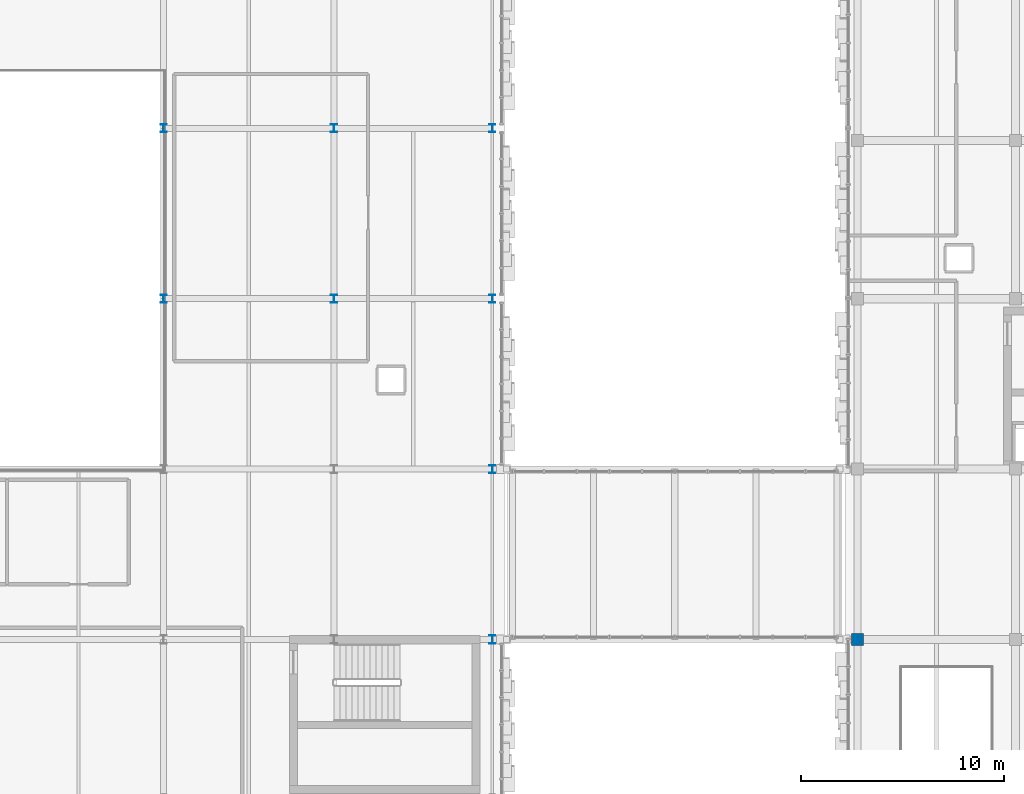
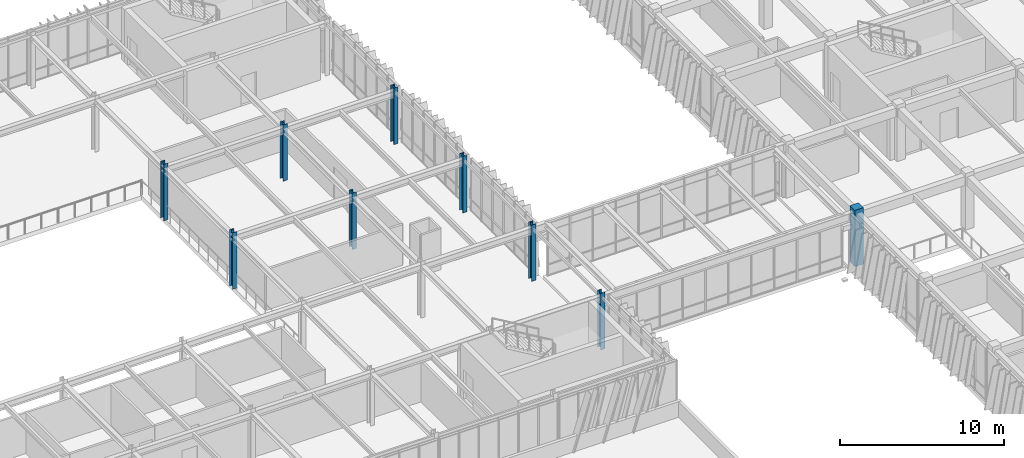
# One storey, part 11 of 127: 9 columns.
"""IFC4 building model written with IfcOpenShell, lengths in metres."""

from ifc_helpers import new_model, si_unit, direction, frame, origin, origin_2d, place, context, subcontext, project, spatial, rectangle, i_section, extrude, material, material_profile, profile_set, type_object, element, save


model = new_model("IFC4")

# Units and contexts
model_context = context("Model", 3, precision=1e-05, world=origin(), true_north=direction((0.0, 1.0)))
body_context = subcontext(model_context, "Body", "Model", "MODEL_VIEW")
ifc_project = project(units=[si_unit("LENGTHUNIT", "METRE"), si_unit("AREAUNIT", "SQUARE_METRE"), si_unit("VOLUMEUNIT", "CUBIC_METRE"), si_unit("PLANEANGLEUNIT", "RADIAN"), si_unit("MASSUNIT", "GRAM", prefix="KILO")], contexts=[model_context])

# Site, building, storey
site_placement = place(None, origin())
site = spatial("IfcSite", under=ifc_project, at=site_placement, CompositionType="ELEMENT")
building_placement = place(site_placement, origin())
building = spatial("IfcBuilding", under=site, at=building_placement, Name="Zayran Congress Hotel", CompositionType="ELEMENT")
storey_placement = place(building_placement, frame((0.0, 0.0, 10.800048828125)))
storey = spatial("IfcBuildingStorey", under=building, at=storey_placement, Name="L02", CompositionType="ELEMENT", Elevation=10.800048828125)

# Columns
ifc_material_1 = material(Name="Concrete C40/50", Category="concrete")
ifc_material_profile_1 = material_profile(ifc_material_1, rectangle(XDim=0.60009765625, YDim=0.60009765625, at=origin_2d()), Name="RC 600x600")
ifc_profile_set_1 = profile_set([ifc_material_profile_1], Name="Concrete C40/50")
column_type_1 = type_object("IfcColumnType", Name="TP-CL-04", PredefinedType="COLUMN", material=ifc_profile_set_1)
column_placement = place(storey_placement, frame((109.800048828125, 76.0, 0.0), z_axis=(0.0, 0.0, 1.0), x_axis=(1.0, 0.0, 0.0)))
element("IfcColumn", 1, at=column_placement, inside=storey, type_object=column_type_1, Name="COL-V4-L02-0797", PredefinedType="COLUMN", context=body_context, shape_type="SweptSolid", body=[
    extrude(rectangle(XDim=0.60009765625, YDim=0.60009765625, at=origin_2d()), origin(), (0.0, 0.0, 1.0), 4.199951171875),
])
ifc_material_2 = material(Name="Steel S355", Category="steel")
ifc_material_profile_2 = material_profile(ifc_material_2, i_section(OverallWidth=0.300048828125, OverallDepth=0.39990234375, WebThickness=0.013427734375, FlangeThickness=0.02392578125, at=origin_2d()), Name="HEB 400")
ifc_profile_set_2 = profile_set([ifc_material_profile_2], Name="Steel S355")
column_type_2 = type_object("IfcColumnType", Name="TP-CL-07", PredefinedType="COLUMN", material=ifc_profile_set_2)
for number, where, z_axis, x_axis, name in (
    (2, (75.60009765625, 92.800048828125, 0.0), (0.0, 0.0, 1.0), (1.0, 0.0, 0.0), "COL-V1-L02-0436"),
    (3, (75.60009765625, 101.199951171875, 0.0), (0.0, 0.0, 1.0), (1.0, 0.0, 0.0), "COL-V1-L02-0437"),
    (4, (84.0, 92.800048828125, 0.0), (0.0, 0.0, 1.0), (1.0, 0.0, 0.0), "COL-V1-L02-0443"),
    (5, (84.0, 101.199951171875, 0.0), (0.0, 0.0, 1.0), (1.0, 0.0, 0.0), "COL-V1-L02-0444"),
    (6, (91.800048828125, 76.0, 0.0), (0.0, 0.0, 1.0), (1.0, 0.0, 0.0), "COL-V1-L02-0448"),
    (7, (91.800048828125, 84.39990234375, 0.0), (0.0, 0.0, 1.0), (1.0, 0.0, 0.0), "COL-V1-L02-0449"),
    (8, (91.800048828125, 92.800048828125, 0.0), (0.0, 0.0, 1.0), (1.0, 0.0, 0.0), "COL-V1-L02-0450"),
    (9, (91.800048828125, 101.199951171875, 0.0), (0.0, 0.0, 1.0), (1.0, 0.0, 0.0), "COL-V1-L02-0451"),
):
    element("IfcColumn", number, at=place(storey_placement, frame(where, z_axis=z_axis, x_axis=x_axis)), inside=storey, type_object=column_type_2, Name=name, PredefinedType="COLUMN", context=body_context, shape_type="SweptSolid", body=[
        extrude(i_section(OverallWidth=0.300048828125, OverallDepth=0.39990234375, WebThickness=0.013427734375, FlangeThickness=0.02392578125, at=origin_2d()), origin(), (0.0, 0.0, 1.0), 4.199951171875),
    ])

save(model, "model.ifc")
